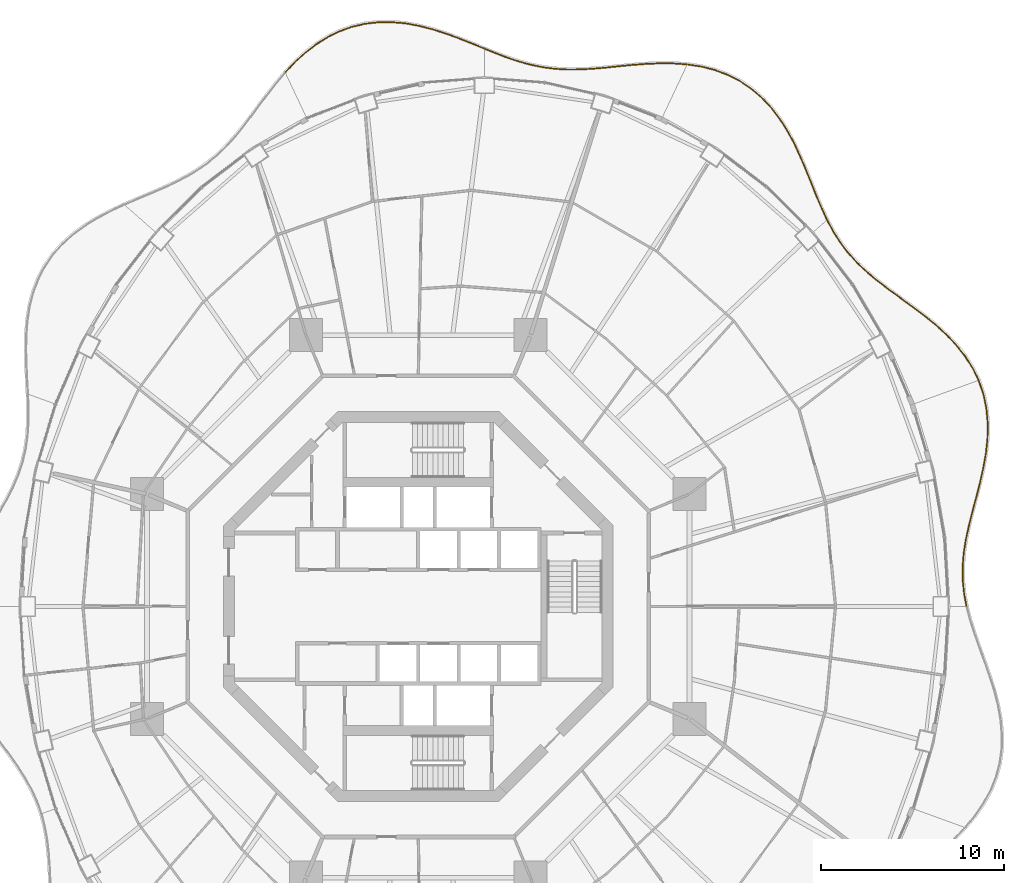
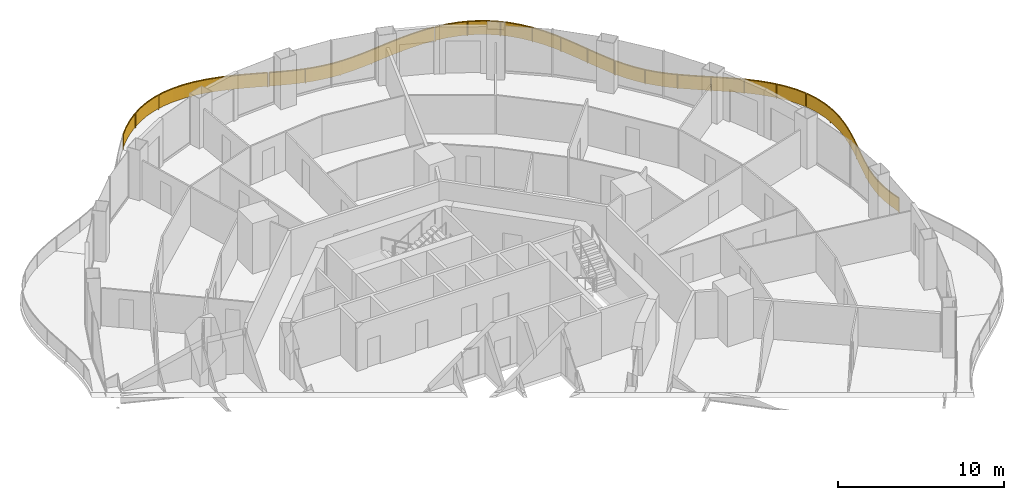
# One storey, part 19 of 19: 5 railings.
"""IFC4 building model written with IfcOpenShell, lengths in metres."""

from ifc_helpers import new_model, si_unit, direction, frame, origin, origin_2d, place, context, subcontext, project, spatial, polyline, rectangle, outline, extrude, material, type_object, element, save


model = new_model("IFC4")

# Units and contexts
model_context = context("Model", 3, precision=1e-05, world=origin(), true_north=direction((0.0, 1.0)))
body_context = subcontext(model_context, "Body", "Model", "MODEL_VIEW")
ifc_project = project(units=[si_unit("LENGTHUNIT", "METRE"), si_unit("AREAUNIT", "SQUARE_METRE"), si_unit("VOLUMEUNIT", "CUBIC_METRE"), si_unit("PLANEANGLEUNIT", "RADIAN"), si_unit("MASSUNIT", "GRAM", prefix="KILO")], contexts=[model_context])

# Site, building, storey
site_placement = place(None, origin())
site = spatial("IfcSite", under=ifc_project, at=site_placement, CompositionType="ELEMENT")
building_placement = place(site_placement, origin())
building = spatial("IfcBuilding", under=site, at=building_placement, Name="Nagisa Residences", CompositionType="ELEMENT")
storey_placement = place(building_placement, frame((0.0, 0.0, 173.300048828125)))
storey = spatial("IfcBuildingStorey", under=building, at=storey_placement, Name="L43", CompositionType="ELEMENT", Elevation=173.300048828125)

# Railings
ifc_material = material(Name="Stainless steel 316", Category="steel")
railing_type = type_object("IfcRailingType", Name="BALCONY GUARD 1100", PredefinedType="BALUSTRADE", material=ifc_material)
railing_1_placement = place(storey_placement, frame((29.873291015625, 0.03466796875, 0.0)))
element("IfcRailing", 1, at=railing_1_placement, inside=storey, type_object=railing_type, Name="guard:L43:bal00-0", PredefinedType="BALUSTRADE", context=body_context, shape_type="SweptSolid", body=[
    extrude(outline(polyline([(-0.152099609375, 0.678955078125), (-0.024658203125, -0.004638671875), (0.024658203125, 0.004638671875), (-0.102294921875, 0.685791015625), (-0.173828125, 1.405029296875), (-0.17919921875, 2.126708984375), (-0.121337890625, 2.856201171875), (-0.00634765625, 3.59716796875), (0.156494140625, 4.339599609375), (0.35009765625, 5.1123046875), (0.558837890625, 5.90185546875), (0.7646484375, 6.706787109375), (0.947509765625, 7.523193359375), (1.093017578125, 8.33251953125), (1.17626953125, 9.156005859375), (1.187255859375, 9.97265625), (1.113525390625, 10.7744140625), (0.947998046875, 11.554443359375), (0.70361328125, 12.260009765625), (0.65625, 12.243408203125), (0.899658203125, 11.540771484375), (1.063720703125, 10.76708984375), (1.136962890625, 9.970703125), (1.12646484375, 9.158935546875), (1.043212890625, 8.33935546875), (0.898681640625, 7.532958984375), (0.7158203125, 6.718505859375), (0.510498046875, 5.91455078125), (0.3017578125, 5.125), (0.107666015625, 4.350830078125), (-0.0556640625, 3.6064453125), (-0.171142578125, 2.862060546875), (-0.2294921875, 2.128662109375), (-0.2236328125, 1.402587890625), (-0.152099609375, 0.678955078125)])), frame((0.0, 0.0, 1.050048828125)), (0.0, 0.0, 1.0), 0.050048828125),
    extrude(outline(polyline([(-0.134033203125, 0.681396484375), (-0.0068359375, -0.001220703125), (0.0068359375, 0.001220703125), (-0.120361328125, 0.683349609375), (-0.191650390625, 1.404296875), (-0.197265625, 2.12744140625), (-0.139404296875, 2.8583984375), (-0.024169921875, 3.6005859375), (0.138916015625, 4.343505859375), (0.332763671875, 5.116943359375), (0.54150390625, 5.906494140625), (0.7470703125, 6.7109375), (0.929931640625, 7.526611328125), (1.074951171875, 8.3349609375), (1.158447265625, 9.156982421875), (1.169189453125, 9.971923828125), (1.095458984375, 10.771728515625), (0.9306640625, 11.549560546875), (0.6865234375, 12.25390625), (0.67333984375, 12.24951171875), (0.9169921875, 11.545654296875), (1.081787109375, 10.769775390625), (1.155029296875, 9.971435546875), (1.144287109375, 9.157958984375), (1.061279296875, 8.3369140625), (0.916259765625, 7.529541015625), (0.7333984375, 6.71435546875), (0.52783203125, 5.909912109375), (0.319091796875, 5.120361328125), (0.125244140625, 4.346923828125), (-0.037841796875, 3.60302734375), (-0.153076171875, 2.85986328125), (-0.21142578125, 2.1279296875), (-0.205810546875, 1.4033203125), (-0.134033203125, 0.681396484375)])), frame((0.0, 0.0, 0.06005859375)), (0.0, 0.0, 1.0), 0.989990234375),
    extrude(rectangle(XDim=0.0400390625, YDim=0.0400390625, at=origin_2d()), origin(), (0.0, 0.0, 1.0), 1.050048828125),
    extrude(rectangle(XDim=0.0400390625, YDim=0.0400390625, at=origin_2d()), frame((-0.203857421875, 2.063232421875, 0.0)), (0.0, 0.0, 1.0), 1.050048828125),
    extrude(rectangle(XDim=0.0400390625, YDim=0.0400390625, at=origin_2d()), frame((0.082275390625, 4.118408203125, 0.0)), (0.0, 0.0, 1.0), 1.050048828125),
    extrude(rectangle(XDim=0.0400390625, YDim=0.0400390625, at=origin_2d()), frame((0.59228515625, 6.133544921875, 0.0)), (0.0, 0.0, 1.0), 1.050048828125),
    extrude(rectangle(XDim=0.0400390625, YDim=0.0400390625, at=origin_2d()), frame((1.037109375, 8.1630859375, 0.0)), (0.0, 0.0, 1.0), 1.050048828125),
    extrude(rectangle(XDim=0.0400390625, YDim=0.0400390625, at=origin_2d()), frame((1.137939453125, 10.233642578125, 0.0)), (0.0, 0.0, 1.0), 1.050048828125),
    extrude(rectangle(XDim=0.0400390625, YDim=0.0400390625, at=origin_2d()), frame((0.679931640625, 12.251708984375, 0.0)), (0.0, 0.0, 1.0), 1.050048828125),
])
railing_2_placement = place(storey_placement, frame((30.523193359375, 12.357666015625, 0.0)))
element("IfcRailing", 2, at=railing_2_placement, inside=storey, type_object=railing_type, Name="guard:L43:bal01-0", PredefinedType="BALUSTRADE", context=body_context, shape_type="SweptSolid", body=[
    extrude(outline(polyline([(-0.341064453125, 0.637451171875), (-0.0224609375, -0.010986328125), (0.0224609375, 0.010986328125), (-0.297607421875, 0.661865234375), (-0.719482421875, 1.319091796875), (-1.21435546875, 1.937744140625), (-1.77001953125, 2.51806640625), (-2.372314453125, 3.062255859375), (-2.998779296875, 3.562255859375), (-3.64697265625, 4.0498046875), (-4.294189453125, 4.520751953125), (-4.925537109375, 4.983642578125), (-5.529296875, 5.447998046875), (-6.086181640625, 5.911376953125), (-6.6064453125, 6.4072265625), (-7.078857421875, 6.931640625), (-7.503173828125, 7.49072265625), (-7.883544921875, 8.087890625), (-8.20556640625, 8.6875), (-8.24951171875, 8.66357421875), (-7.926513671875, 8.0625), (-7.544189453125, 7.4619140625), (-7.117431640625, 6.89990234375), (-6.642578125, 6.37255859375), (-6.119384765625, 5.873779296875), (-5.560546875, 5.408935546875), (-4.955810546875, 4.943603515625), (-4.323486328125, 4.480224609375), (-3.6767578125, 4.009765625), (-3.029541015625, 3.522705078125), (-2.404541015625, 3.024169921875), (-1.8046875, 2.48193359375), (-1.251953125, 1.904541015625), (-0.760009765625, 1.289794921875), (-0.341064453125, 0.637451171875)])), frame((0.0, 0.0, 1.050048828125)), (0.0, 0.0, 1.0), 0.050048828125),
    extrude(outline(polyline([(-0.325439453125, 0.646240234375), (-0.00634765625, -0.003173828125), (0.00634765625, 0.003173828125), (-0.313232421875, 0.653076171875), (-0.734130859375, 1.30859375), (-1.227783203125, 1.92578125), (-1.782470703125, 2.505126953125), (-2.3837890625, 3.048583984375), (-3.009765625, 3.548095703125), (-3.65771484375, 4.035400390625), (-4.3046875, 4.506103515625), (-4.9365234375, 4.96923828125), (-5.54052734375, 5.433837890625), (-6.09814453125, 5.897705078125), (-6.619384765625, 6.394775390625), (-7.0927734375, 6.920166015625), (-7.517822265625, 7.480224609375), (-7.89892578125, 8.078857421875), (-8.221435546875, 8.678955078125), (-8.233642578125, 8.672119140625), (-7.9111328125, 8.071533203125), (-7.529541015625, 7.472412109375), (-7.103515625, 6.911376953125), (-6.629638671875, 6.385009765625), (-6.107421875, 5.887451171875), (-5.54931640625, 5.423095703125), (-4.94482421875, 4.9580078125), (-4.31298828125, 4.494873046875), (-3.666015625, 4.024169921875), (-3.0185546875, 3.536865234375), (-2.39306640625, 3.037841796875), (-1.792236328125, 2.494873046875), (-1.238525390625, 1.91650390625), (-0.745361328125, 1.30029296875), (-0.325439453125, 0.646240234375)])), frame((0.0, 0.0, 0.06005859375)), (0.0, 0.0, 1.0), 0.989990234375),
    extrude(rectangle(XDim=0.0400390625, YDim=0.0400390625, at=origin_2d()), origin(), (0.0, 0.0, 1.0), 1.050048828125),
    extrude(rectangle(XDim=0.0400390625, YDim=0.0400390625, at=origin_2d()), frame((-1.062255859375, 1.70751953125, 0.0)), (0.0, 0.0, 1.0), 1.050048828125),
    extrude(rectangle(XDim=0.0400390625, YDim=0.0400390625, at=origin_2d()), frame((-2.492431640625, 3.126220703125, 0.0)), (0.0, 0.0, 1.0), 1.050048828125),
    extrude(rectangle(XDim=0.0400390625, YDim=0.0400390625, at=origin_2d()), frame((-4.098876953125, 4.34765625, 0.0)), (0.0, 0.0, 1.0), 1.050048828125),
    extrude(rectangle(XDim=0.0400390625, YDim=0.0400390625, at=origin_2d()), frame((-5.70849609375, 5.564697265625, 0.0)), (0.0, 0.0, 1.0), 1.050048828125),
    extrude(rectangle(XDim=0.0400390625, YDim=0.0400390625, at=origin_2d()), frame((-7.144775390625, 6.97705078125, 0.0)), (0.0, 0.0, 1.0), 1.050048828125),
    extrude(rectangle(XDim=0.0400390625, YDim=0.0400390625, at=origin_2d()), frame((-8.2275390625, 8.675537109375, 0.0)), (0.0, 0.0, 1.0), 1.050048828125),
])
railing_3_placement = place(storey_placement, frame((22.265380859375, 21.09814453125, 0.0)))
element("IfcRailing", 3, at=railing_3_placement, inside=storey, type_object=railing_type, Name="guard:L43:bal02-0", PredefinedType="BALUSTRADE", context=body_context, shape_type="SweptSolid", body=[
    extrude(outline(polyline([(-0.304443359375, 0.59423828125), (-0.022705078125, -0.010498046875), (0.022705078125, 0.010498046875), (-0.258544921875, 0.61474609375), (-0.543701171875, 1.28759765625), (-0.823974609375, 1.984130859375), (-1.111083984375, 2.6962890625), (-1.41650390625, 3.41357421875), (-1.73828125, 4.11328125), (-2.110107421875, 4.804443359375), (-2.527587890625, 5.46337890625), (-2.99560546875, 6.078125), (-3.5166015625, 6.637451171875), (-4.079833984375, 7.1240234375), (-4.7041015625, 7.545166015625), (-5.37744140625, 7.89111328125), (-6.091552734375, 8.1591796875), (-6.83837890625, 8.35107421875), (-7.562744140625, 8.4619140625), (-7.570556640625, 8.41259765625), (-6.8486328125, 8.3017578125), (-6.106689453125, 8.111328125), (-5.39794921875, 7.84521484375), (-4.7294921875, 7.502197265625), (-4.110107421875, 7.083984375), (-3.55126953125, 6.601318359375), (-3.03369140625, 6.0458984375), (-2.568603515625, 5.4345703125), (-2.153564453125, 4.779052734375), (-1.783203125, 4.0908203125), (-1.46240234375, 3.39306640625), (-1.157470703125, 2.67724609375), (-0.870361328125, 1.965576171875), (-0.590087890625, 1.2685546875), (-0.304443359375, 0.59423828125)])), frame((0.0, 0.0, 1.050048828125)), (0.0, 0.0, 1.0), 0.050048828125),
    extrude(outline(polyline([(-0.287841796875, 0.6015625), (-0.00634765625, -0.0029296875), (0.00634765625, 0.0029296875), (-0.275146484375, 0.607421875), (-0.560302734375, 1.28076171875), (-0.840576171875, 1.9775390625), (-1.1279296875, 2.689453125), (-1.43310546875, 3.40625), (-1.75439453125, 4.105224609375), (-2.125732421875, 4.795166015625), (-2.542236328125, 5.452880859375), (-3.00927734375, 6.066650390625), (-3.529052734375, 6.62451171875), (-4.0908203125, 7.109619140625), (-4.713134765625, 7.52978515625), (-5.384765625, 7.87451171875), (-6.096923828125, 8.141845703125), (-6.842041015625, 8.333251953125), (-7.565673828125, 8.444091796875), (-7.567626953125, 8.430419921875), (-6.844970703125, 8.319580078125), (-6.101318359375, 8.128662109375), (-5.390625, 7.86181640625), (-4.720458984375, 7.517578125), (-4.09912109375, 7.098388671875), (-3.538818359375, 6.6142578125), (-3.02001953125, 6.057373046875), (-2.553955078125, 5.445068359375), (-2.137939453125, 4.788330078125), (-1.76708984375, 4.098876953125), (-1.44580078125, 3.400390625), (-1.140625, 2.68408203125), (-0.853759765625, 1.97216796875), (-0.573486328125, 1.275390625), (-0.287841796875, 0.6015625)])), frame((0.0, 0.0, 0.06005859375)), (0.0, 0.0, 1.0), 0.989990234375),
    extrude(rectangle(XDim=0.0400390625, YDim=0.0400390625, at=origin_2d()), origin(), (0.0, 0.0, 1.0), 1.050048828125),
    extrude(rectangle(XDim=0.0400390625, YDim=0.0400390625, at=origin_2d()), frame((-0.79541015625, 1.84619140625, 0.0)), (0.0, 0.0, 1.0), 1.050048828125),
    extrude(rectangle(XDim=0.0400390625, YDim=0.0400390625, at=origin_2d()), frame((-1.575439453125, 3.698974609375, 0.0)), (0.0, 0.0, 1.0), 1.050048828125),
    extrude(rectangle(XDim=0.0400390625, YDim=0.0400390625, at=origin_2d()), frame((-2.5517578125, 5.45361328125, 0.0)), (0.0, 0.0, 1.0), 1.050048828125),
    extrude(rectangle(XDim=0.0400390625, YDim=0.0400390625, at=origin_2d()), frame((-3.900634765625, 6.93603515625, 0.0)), (0.0, 0.0, 1.0), 1.050048828125),
    extrude(rectangle(XDim=0.0400390625, YDim=0.0400390625, at=origin_2d()), frame((-5.62109375, 7.955810546875, 0.0)), (0.0, 0.0, 1.0), 1.050048828125),
    extrude(rectangle(XDim=0.0400390625, YDim=0.0400390625, at=origin_2d()), frame((-7.566650390625, 8.437255859375, 0.0)), (0.0, 0.0, 1.0), 1.050048828125),
])
railing_4_placement = place(storey_placement, frame((14.621826171875, 29.54345703125, 0.0)))
element("IfcRailing", 4, at=railing_4_placement, inside=storey, type_object=railing_type, Name="guard:L43:bal03-0", PredefinedType="BALUSTRADE", context=body_context, shape_type="SweptSolid", body=[
    extrude(outline(polyline([(-0.7099609375, 0.025390625), (-0.001708984375, -0.02490234375), (0.001708984375, 0.02490234375), (-0.7080078125, 0.0751953125), (-1.471435546875, 0.08203125), (-2.233154296875, 0.0498046875), (-2.9873046875, -0.008544921875), (-3.728271484375, -0.079833984375), (-4.43603515625, -0.15673828125), (-5.141845703125, -0.21630859375), (-5.828857421875, -0.252197265625), (-6.49853515625, -0.25537109375), (-7.154052734375, -0.21875), (-7.78125, -0.140380859375), (-8.42041015625, -0.013427734375), (-9.059326171875, 0.15771484375), (-9.70263671875, 0.369140625), (-10.35546875, 0.613525390625), (-10.978271484375, 0.86572265625), (-10.996826171875, 0.8193359375), (-10.37353515625, 0.566650390625), (-9.71923828125, 0.32177734375), (-9.073486328125, 0.10986328125), (-8.431640625, -0.062255859375), (-7.7890625, -0.189697265625), (-7.158447265625, -0.2685546875), (-6.5, -0.3056640625), (-5.827392578125, -0.302001953125), (-5.138427734375, -0.26611328125), (-4.43115234375, -0.20654296875), (-3.723388671875, -0.129638671875), (-2.98291015625, -0.058349609375), (-2.230224609375, 0.0), (-1.470458984375, 0.03173828125), (-0.7099609375, 0.025390625)])), frame((0.0, 0.0, 1.050048828125)), (0.0, 0.0, 1.0), 0.050048828125),
    extrude(outline(polyline([(-0.709228515625, 0.043212890625), (-0.00048828125, -0.007080078125), (0.00048828125, 0.007080078125), (-0.708740234375, 0.057373046875), (-1.470947265625, 0.06396484375), (-2.232177734375, 0.031982421875), (-2.985595703125, -0.0263671875), (-3.7265625, -0.09765625), (-4.434326171875, -0.174560546875), (-5.140625, -0.234130859375), (-5.828369140625, -0.27001953125), (-6.4990234375, -0.2734375), (-7.155517578125, -0.236572265625), (-7.783935546875, -0.158203125), (-8.42431640625, -0.031005859375), (-9.064453125, 0.140380859375), (-9.70849609375, 0.35205078125), (-10.362060546875, 0.5966796875), (-10.98486328125, 0.84912109375), (-10.990234375, 0.8359375), (-10.366943359375, 0.58349609375), (-9.71337890625, 0.3388671875), (-9.068359375, 0.127197265625), (-8.427734375, -0.044677734375), (-7.786376953125, -0.171875), (-7.156982421875, -0.250732421875), (-6.49951171875, -0.28759765625), (-5.827880859375, -0.2841796875), (-5.1396484375, -0.248291015625), (-4.432861328125, -0.188720703125), (-3.72509765625, -0.11181640625), (-2.984619140625, -0.04052734375), (-2.231201171875, 0.017822265625), (-1.470947265625, 0.0498046875), (-0.709228515625, 0.043212890625)])), frame((0.0, 0.0, 0.06005859375)), (0.0, 0.0, 1.0), 0.989990234375),
    extrude(rectangle(XDim=0.0400390625, YDim=0.0400390625, at=origin_2d()), origin(), (0.0, 0.0, 1.0), 1.050048828125),
    extrude(rectangle(XDim=0.0400390625, YDim=0.0400390625, at=origin_2d()), frame((-2.23193359375, 0.02490234375, 0.0)), (0.0, 0.0, 1.0), 1.050048828125),
    extrude(rectangle(XDim=0.0400390625, YDim=0.0400390625, at=origin_2d()), frame((-4.456298828125, -0.18359375, 0.0)), (0.0, 0.0, 1.0), 1.050048828125),
    extrude(rectangle(XDim=0.0400390625, YDim=0.0400390625, at=origin_2d()), frame((-6.68701171875, -0.27001953125, 0.0)), (0.0, 0.0, 1.0), 1.050048828125),
    extrude(rectangle(XDim=0.0400390625, YDim=0.0400390625, at=origin_2d()), frame((-8.886962890625, 0.085693359375, 0.0)), (0.0, 0.0, 1.0), 1.050048828125),
    extrude(rectangle(XDim=0.0400390625, YDim=0.0400390625, at=origin_2d()), frame((-10.987548828125, 0.842529296875, 0.0)), (0.0, 0.0, 1.0), 1.050048828125),
])
railing_5_placement = place(storey_placement, frame((3.565673828125, 30.416015625, 0.0)))
element("IfcRailing", 5, at=railing_5_placement, inside=storey, type_object=railing_type, Name="guard:L43:bal04-0", PredefinedType="BALUSTRADE", context=body_context, shape_type="SweptSolid", body=[
    extrude(outline(polyline([(-0.64794921875, 0.240966796875), (-0.009521484375, -0.023193359375), (0.009521484375, 0.023193359375), (-0.62890625, 0.287353515625), (-1.32763671875, 0.564697265625), (-2.04345703125, 0.82666015625), (-2.774169921875, 1.05908203125), (-3.515625, 1.248291015625), (-4.24853515625, 1.384765625), (-4.999755859375, 1.452880859375), (-5.74609375, 1.44677734375), (-6.481201171875, 1.361572265625), (-7.19775390625, 1.194091796875), (-7.873779296875, 0.9501953125), (-8.536865234375, 0.62353515625), (-9.166748046875, 0.22509765625), (-9.76123046875, -0.236328125), (-10.320068359375, -0.749755859375), (-10.810302734375, -1.27099609375), (-10.773681640625, -1.30517578125), (-10.284912109375, -0.785400390625), (-9.72900390625, -0.2744140625), (-9.137939453125, 0.18408203125), (-8.512451171875, 0.57958984375), (-7.854248046875, 0.904296875), (-7.18359375, 1.146240234375), (-6.472412109375, 1.312255859375), (-5.7431640625, 1.39697265625), (-5.001708984375, 1.402587890625), (-4.25537109375, 1.3349609375), (-3.5263671875, 1.199462890625), (-2.787841796875, 1.0107421875), (-2.0595703125, 0.779296875), (-1.345703125, 0.517822265625), (-0.64794921875, 0.240966796875)])), frame((0.0, 0.0, 1.050048828125)), (0.0, 0.0, 1.0), 0.050048828125),
    extrude(outline(polyline([(-0.64111328125, 0.257568359375), (-0.002685546875, -0.00634765625), (0.002685546875, 0.00634765625), (-0.6357421875, 0.270751953125), (-1.334228515625, 0.5478515625), (-2.04931640625, 0.8095703125), (-2.779052734375, 1.041748046875), (-3.51953125, 1.230712890625), (-4.2509765625, 1.36669921875), (-5.00048828125, 1.434814453125), (-5.7451171875, 1.428955078125), (-6.47802734375, 1.34375), (-7.192626953125, 1.177001953125), (-7.86669921875, 0.93359375), (-8.528076171875, 0.607666015625), (-9.15625, 0.210205078125), (-9.749755859375, -0.25), (-10.307373046875, -0.7626953125), (-10.797119140625, -1.283203125), (-10.786865234375, -1.29296875), (-10.297607421875, -0.7724609375), (-9.740478515625, -0.2607421875), (-9.1484375, 0.198974609375), (-8.521240234375, 0.595458984375), (-7.861328125, 0.9208984375), (-7.188720703125, 1.163330078125), (-6.4755859375, 1.330078125), (-5.744140625, 1.414794921875), (-5.0009765625, 1.420654296875), (-4.2529296875, 1.35302734375), (-3.5224609375, 1.217041015625), (-2.782958984375, 1.028076171875), (-2.0537109375, 0.79638671875), (-1.339111328125, 0.53466796875), (-0.64111328125, 0.257568359375)])), frame((0.0, 0.0, 0.06005859375)), (0.0, 0.0, 1.0), 0.989990234375),
    extrude(rectangle(XDim=0.0400390625, YDim=0.0400390625, at=origin_2d()), origin(), (0.0, 0.0, 1.0), 1.050048828125),
    extrude(rectangle(XDim=0.0400390625, YDim=0.0400390625, at=origin_2d()), frame((-2.2119140625, 0.85400390625, 0.0)), (0.0, 0.0, 1.0), 1.050048828125),
    extrude(rectangle(XDim=0.0400390625, YDim=0.0400390625, at=origin_2d()), frame((-4.518310546875, 1.384033203125, 0.0)), (0.0, 0.0, 1.0), 1.050048828125),
    extrude(rectangle(XDim=0.0400390625, YDim=0.0400390625, at=origin_2d()), frame((-6.87255859375, 1.244384765625, 0.0)), (0.0, 0.0, 1.0), 1.050048828125),
    extrude(rectangle(XDim=0.0400390625, YDim=0.0400390625, at=origin_2d()), frame((-9.025634765625, 0.28466796875, 0.0)), (0.0, 0.0, 1.0), 1.050048828125),
    extrude(rectangle(XDim=0.0400390625, YDim=0.0400390625, at=origin_2d()), frame((-10.7919921875, -1.2880859375, 0.0)), (0.0, 0.0, 1.0), 1.050048828125),
])

save(model, "model.ifc")
